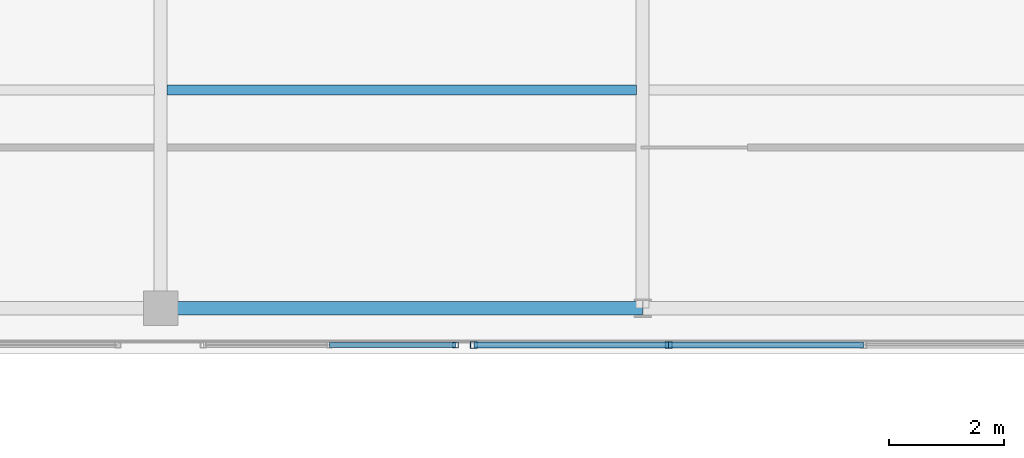
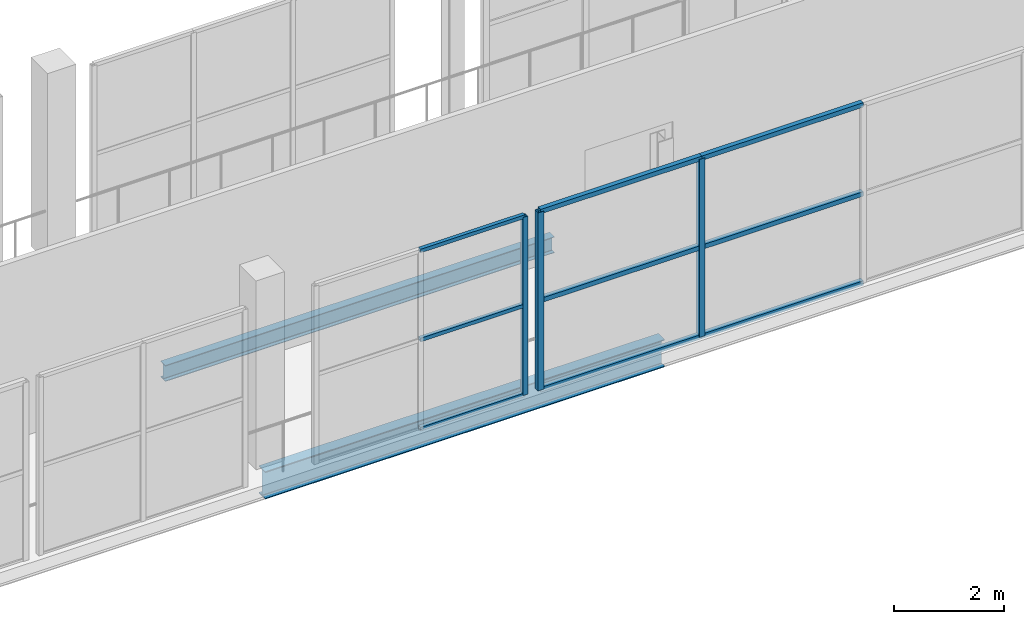
# One storey, part 77 of 151: 12 members, 2 beams, 2 elements without a shape of their own.
"""IFC4 building model written with IfcOpenShell, lengths in metres."""

import ifcopenshell
import ifcopenshell.guid

model = None  # the IFC model being written
_history = None  # IfcOwnerHistory: only IFC2X3 demands one
_inside = {}  # id of a spatial element -> (the spatial element, [elements in it])
_under = {}  # id of a project, library or spatial element -> (it, [spatial elements below it])
_declared = {}  # id of a project -> (the project, [libraries it declares])
_typed = {}  # id of a type object -> (the type object, [elements of that type])
_made_of = {}  # id of a material, layer set ... -> (it, [elements and type objects made of it])


def new_model(schema):
    """Start an empty IFC model of exactly this schema.

    Asked for "IFC4X3", IfcOpenShell would pick the latest addendum, in which some entities
    have other attributes; the version numbers below select the first issue.
    IFC2X3 requires an IfcOwnerHistory on every rooted entity: one is made here for all.
    """
    global model, _history
    if schema == "IFC4X3":
        model = ifcopenshell.file(schema_version=(4, 3, 0, 0))
    else:
        model = ifcopenshell.file(schema=schema)
    _inside.clear()
    _under.clear()
    _declared.clear()
    _typed.clear()
    _made_of.clear()
    _history = None
    if model.schema == "IFC2X3":
        org = make("IfcOrganization", Name="unknown")
        user = make(
            "IfcPersonAndOrganization",
            ThePerson=make("IfcPerson", FamilyName="unknown"),
            TheOrganization=org,
        )
        app = make(
            "IfcApplication",
            ApplicationDeveloper=org,
            Version="unknown",
            ApplicationFullName="unknown",
            ApplicationIdentifier="unknown",
        )
        _history = make(
            "IfcOwnerHistory",
            OwningUser=user,
            OwningApplication=app,
            ChangeAction="ADDED",
            CreationDate=0,
        )
    return model


def make(cls, **values):
    """One entity of the class cls with the attributes given. An attribute that is None is left unset."""
    return model.create_entity(
        cls, **{name: value for name, value in values.items() if value is not None}
    )


def rooted(cls, **values):
    """An entity with a GlobalId (a new one), such as an element, a storey or a relation."""
    return make(cls, GlobalId=ifcopenshell.guid.new(), OwnerHistory=_history, **values)


def si_unit(unit_type, name, prefix=None):
    """IfcSIUnit, for example si_unit("LENGTHUNIT", "METRE", prefix="MILLI")."""
    return make("IfcSIUnit", UnitType=unit_type, Prefix=prefix, Name=name)


def assignment(units):
    """IfcUnitAssignment: the units of a project."""
    return None if units is None else make("IfcUnitAssignment", Units=units)


def point(xyz):
    """IfcCartesianPoint."""
    return None if xyz is None else make("IfcCartesianPoint", Coordinates=xyz)


def direction(xyz):
    """IfcDirection."""
    return None if xyz is None else make("IfcDirection", DirectionRatios=xyz)


def frame(location, z_axis=None, x_axis=None):
    """IfcAxis2Placement3D, a coordinate frame: its origin and axes. An axis left out is left unset."""
    return make(
        "IfcAxis2Placement3D",
        Location=point(location),
        Axis=direction(z_axis),
        RefDirection=direction(x_axis),
    )


def frame_2d(location, x_axis=None):
    """IfcAxis2Placement2D, a coordinate frame in the plane: its origin and x axis."""
    return make(
        "IfcAxis2Placement2D", Location=point(location), RefDirection=direction(x_axis)
    )


def origin():
    """The frame at (0, 0, 0) with its axes left unset."""
    return frame((0.0, 0.0, 0.0))


def origin_2d():
    """The frame at (0, 0) in the plane with its x axis left unset."""
    return frame_2d((0.0, 0.0))


def place(relative_to, where):
    """IfcLocalPlacement: puts the frame where relative to a parent placement (None: the world)."""
    return make(
        "IfcLocalPlacement", PlacementRelTo=relative_to, RelativePlacement=where
    )


def context(
    kind, dimensions, precision=None, world=None, true_north=None, identifier=None
):
    """IfcGeometricRepresentationContext, for example the 3D "Model" context."""
    return make(
        "IfcGeometricRepresentationContext",
        ContextIdentifier=identifier,
        ContextType=kind,
        CoordinateSpaceDimension=dimensions,
        Precision=precision,
        WorldCoordinateSystem=world,
        TrueNorth=true_north,
    )


def subcontext(parent, identifier, kind, view, scale=None):
    """IfcGeometricRepresentationSubContext, for example "Body" below "Model"."""
    return make(
        "IfcGeometricRepresentationSubContext",
        ContextIdentifier=identifier,
        ContextType=kind,
        ParentContext=parent,
        TargetScale=scale,
        TargetView=view,
    )


def project(units=None, contexts=None):
    """IfcProject with its units and contexts."""
    return rooted(
        "IfcProject",
        Name="project",
        RepresentationContexts=contexts,
        UnitsInContext=assignment(units),
    )


def spatial(cls, under=None, at=None, **own):
    """A site, building, storey or space (cls), placed at a placement, below another one or the project."""
    s = rooted(cls, ObjectPlacement=at, **own)
    if under is not None:
        _under.setdefault(under.id(), (under, []))[1].append(s)
    return s


def profile(cls, at=None, kind="AREA", **sizes):
    """A parametric profile (cls). Its sizes go by their IFC names, for example OverallWidth=200.0."""
    return make(cls, ProfileType=kind, Position=at, **sizes)


def hollow_rectangle(**sizes):
    """IfcRectangleHollowProfileDef."""
    return profile("IfcRectangleHollowProfileDef", **sizes)


def i_section(**sizes):
    """IfcIShapeProfileDef."""
    return profile("IfcIShapeProfileDef", **sizes)


def extrude(swept, where, along, depth):
    """IfcExtrudedAreaSolid: the profile swept, set in the frame where, extruded along a direction by depth."""
    return make(
        "IfcExtrudedAreaSolid",
        SweptArea=swept,
        Position=where,
        ExtrudedDirection=direction(along),
        Depth=depth,
    )


def shape(context_of_items, identifier, shape_type, items):
    """IfcShapeRepresentation: the items that make up one representation, for example the "Body"."""
    return make(
        "IfcShapeRepresentation",
        ContextOfItems=context_of_items,
        RepresentationIdentifier=identifier,
        RepresentationType=shape_type,
        Items=items,
    )


def material(Name=None, Category=None):
    """IfcMaterial."""
    return make("IfcMaterial", Name=Name, Category=Category)


def material_profile(
    of_material, cross_section, Name=None, Category=None, Priority=None
):
    """IfcMaterialProfile: a cross section and its material."""
    return make(
        "IfcMaterialProfile",
        Name=Name,
        Material=of_material,
        Profile=cross_section,
        Priority=Priority,
        Category=Category,
    )


def profile_set(profiles, Name=None, composite=None):
    """IfcMaterialProfileSet."""
    return make(
        "IfcMaterialProfileSet",
        Name=Name,
        MaterialProfiles=profiles,
        CompositeProfile=composite,
    )


def made_of(thing, what):
    """Note that an element or type object is made of a material, layer set ...; save() writes the relation."""
    if what is not None:
        _made_of.setdefault(what.id(), (what, []))[1].append(thing)
    return thing


def type_object(cls, material=None, **own):
    """A type object (cls), such as IfcWallType, which elements share."""
    return made_of(rooted(cls, **own), material)


def element(
    cls,
    number,
    at=None,
    inside=None,
    cuts=None,
    type_object=None,
    material=None,
    context=None,
    identifier="Body",
    shape_type=None,
    held_by="IfcProductDefinitionShape",
    body=None,
    shapes=None,
    **own,
):
    """One element of the class cls, such as IfcWall. Its Tag is "e" and its number.

    at: its placement. inside: the storey or other place that contains it. cuts: it is an
    opening in that element (IfcRelVoidsElement). A single representation is given by context,
    identifier, shape_type and body (its items); several are given by shapes. held_by: the class
    of the entity that holds the representations. save() writes the other relations.
    """
    e = rooted(cls, Tag="e%d" % number, ObjectPlacement=at, **own)
    if body is not None:
        shapes = [shape(context, identifier, shape_type, body)]
    if shapes is not None:
        e.Representation = make(held_by, Representations=shapes)
    if inside is not None:
        _inside.setdefault(inside.id(), (inside, []))[1].append(e)
    if cuts is not None:
        rooted(
            "IfcRelVoidsElement", RelatingBuildingElement=cuts, RelatedOpeningElement=e
        )
    if type_object is not None:
        _typed.setdefault(type_object.id(), (type_object, []))[1].append(e)
    return made_of(e, material)


def aggregate(whole, parts):
    """IfcRelAggregates: a whole, such as a stair, and the parts it consists of."""
    return rooted("IfcRelAggregates", RelatingObject=whole, RelatedObjects=parts)


def save(model, path):
    """Write the relations noted so far, then the file.

    IfcRelAggregates (storeys below a building ...), IfcRelContainedInSpatialStructure (elements
    in a storey), IfcRelDefinesByType, IfcRelAssociatesMaterial and IfcRelDeclares: one each for
    every whole, place, type object, material and project.
    """
    for whole, parts in _under.values():
        aggregate(whole, parts)
    for where, things in _inside.values():
        rooted(
            "IfcRelContainedInSpatialStructure",
            RelatedElements=things,
            RelatingStructure=where,
        )
    for kind, things in _typed.values():
        rooted("IfcRelDefinesByType", RelatedObjects=things, RelatingType=kind)
    for what, things in _made_of.values():
        rooted("IfcRelAssociatesMaterial", RelatedObjects=things, RelatingMaterial=what)
    for by, libraries in _declared.values():
        rooted("IfcRelDeclares", RelatingContext=by, RelatedDefinitions=libraries)
    model.write(path)


model = new_model("IFC4")

# Units and contexts
model_context = context("Model", 3, precision=1e-05, world=origin(), true_north=direction((0.0, 1.0)))
body_context = subcontext(model_context, "Body", "Model", "MODEL_VIEW")
ifc_project = project(units=[si_unit("LENGTHUNIT", "METRE"), si_unit("AREAUNIT", "SQUARE_METRE"), si_unit("VOLUMEUNIT", "CUBIC_METRE"), si_unit("PLANEANGLEUNIT", "RADIAN"), si_unit("MASSUNIT", "GRAM", prefix="KILO")], contexts=[model_context])

# Site, building, storey
site_placement = place(None, origin())
site = spatial("IfcSite", under=ifc_project, at=site_placement, CompositionType="ELEMENT")
building_placement = place(site_placement, origin())
building = spatial("IfcBuilding", under=site, at=building_placement, Name="Zuvorla Pavilion Media Centre", CompositionType="ELEMENT")
storey_placement = place(building_placement, frame((0.0, 0.0, 13.800048828125)))
storey = spatial("IfcBuildingStorey", under=building, at=storey_placement, Name="L03", CompositionType="ELEMENT", Elevation=13.800048828125)

# Beams
ifc_material_1 = material(Name="Steel S355", Category="steel")
ifc_material_profile_1 = material_profile(ifc_material_1, i_section(OverallWidth=0.172119140625, OverallDepth=0.35791015625, WebThickness=0.008056640625, FlangeThickness=0.012939453125, FilletRadius=0.01025390625, at=origin_2d()), Name="UB 356x171x57")
ifc_profile_set_1 = profile_set([ifc_material_profile_1], Name="Steel S355")
beam_type_1 = type_object("IfcBeamType", Name="BM-UB356", PredefinedType="JOIST", material=ifc_profile_set_1)
beam_1_placement = place(storey_placement, frame((117.3095703125, 85.800048828125, -0.43701171875), z_axis=(1.0, 0.0, 0.0), x_axis=(0.0, 1.0, 0.0)))
element("IfcBeam", 1, at=beam_1_placement, inside=storey, type_object=beam_type_1, Name="L03 joist J03 1280", PredefinedType="JOIST", context=body_context, shape_type="SweptSolid", body=[
    extrude(i_section(OverallWidth=0.172119140625, OverallDepth=0.35791015625, WebThickness=0.008056640625, FlangeThickness=0.012939453125, FilletRadius=0.01025390625, at=origin_2d()), origin(), (0.0, 0.0, 1.0), 8.180908203125),
])
ifc_material_profile_2 = material_profile(ifc_material_1, i_section(OverallWidth=0.22900390625, OverallDepth=0.6123046875, WebThickness=0.011962890625, FlangeThickness=0.01953125, FilletRadius=0.0126953125, at=origin_2d()), Name="UB 610x229x125")
ifc_profile_set_2 = profile_set([ifc_material_profile_2], Name="Steel S355")
beam_type_2 = type_object("IfcBeamType", Name="BM-UB610", PredefinedType="BEAM", material=ifc_profile_set_2)
beam_2_placement = place(storey_placement, frame((117.199951171875, 82.0, -0.564208984375), z_axis=(1.0, 0.0, 0.0), x_axis=(0.0, 1.0, 0.0)))
element("IfcBeam", 2, at=beam_2_placement, inside=storey, type_object=beam_type_2, Name="L03 beam B07 1126", PredefinedType="BEAM", context=body_context, shape_type="SweptSolid", body=[
    extrude(i_section(OverallWidth=0.22900390625, OverallDepth=0.6123046875, WebThickness=0.011962890625, FlangeThickness=0.01953125, FilletRadius=0.0126953125, at=origin_2d()), origin(), (0.0, 0.0, 1.0), 8.400146484375),
])

# Curtain wall, member
ifc_material_2 = material(Name="Unitised anodised aluminium and solar glass curtain wall", Category="aluminium")
curtain_wall_type_1 = type_object("IfcCurtainWallType", Name="CW-SYS-83", PredefinedType="USERDEFINED", material=ifc_material_2)
curtain_wall_1_placement = place(storey_placement, origin())
curtain_wall_1 = element("IfcCurtainWall", 3, at=curtain_wall_1_placement, inside=storey, type_object=curtain_wall_type_1, Name="L03 curtain wall CW83 176", ObjectType="CURTAIN WALL", PredefinedType="USERDEFINED")
ifc_material_3 = material(Name="Anodised aluminium 6063-T6", Category="aluminium")
ifc_material_profile_3 = material_profile(ifc_material_3, hollow_rectangle(XDim=0.10009765625, YDim=0.10009765625, WallThickness=0.00439453125, at=origin_2d()), Name="ALU MULL 100x100")
ifc_profile_set_3 = profile_set([ifc_material_profile_3], Name="Anodised aluminium 6063-T6")
member_type_1 = type_object("IfcMemberType", Name="CW-MULL-100", PredefinedType="MULLION", material=ifc_profile_set_3)
member_1_placement = place(storey_placement, frame((122.340087890625, 81.360107421875, 0.0), z_axis=(0.0, 0.0, 1.0), x_axis=(1.0, 0.0, 0.0)))
member_1 = element("IfcMember", 4, at=member_1_placement, type_object=member_type_1, Name="CW83 mullion 1", PredefinedType="MULLION", context=body_context, shape_type="SweptSolid", body=[
    extrude(hollow_rectangle(XDim=0.10009765625, YDim=0.10009765625, WallThickness=0.00439453125, at=origin_2d()), origin(), (0.0, 0.0, 1.0), 3.9599609375),
])

# Curtain wall, members
curtain_wall_type_2 = type_object("IfcCurtainWallType", Name="CW-SYS-30", PredefinedType="USERDEFINED", material=ifc_material_2)
curtain_wall_2_placement = place(storey_placement, origin())
curtain_wall_2 = element("IfcCurtainWall", 5, at=curtain_wall_2_placement, inside=storey, type_object=curtain_wall_type_2, Name="L03 curtain wall CW30 180", ObjectType="CURTAIN WALL", PredefinedType="USERDEFINED")
ifc_material_profile_4 = material_profile(ifc_material_3, hollow_rectangle(XDim=0.1201171875, YDim=0.1201171875, WallThickness=0.0048828125, at=origin_2d()), Name="ALU MULL 120x120")
ifc_profile_set_4 = profile_set([ifc_material_profile_4], Name="Anodised aluminium 6063-T6")
member_type_2 = type_object("IfcMemberType", Name="CW-MULL-120", PredefinedType="MULLION", material=ifc_profile_set_4)
member_2_placement = place(storey_placement, frame((126.05322265625, 81.360107421875, 0.0), z_axis=(0.0, 0.0, 1.0), x_axis=(1.0, 0.0, 0.0)))
member_2 = element("IfcMember", 6, at=member_2_placement, type_object=member_type_2, Name="CW30 mullion 3", PredefinedType="MULLION", context=body_context, shape_type="SweptSolid", body=[
    extrude(hollow_rectangle(XDim=0.1201171875, YDim=0.1201171875, WallThickness=0.0048828125, at=origin_2d()), origin(), (0.0, 0.0, 1.0), 3.9599609375),
])
member_3_placement = place(storey_placement, frame((122.659912109375, 81.360107421875, 0.0), z_axis=(0.0, 0.0, 1.0), x_axis=(1.0, 0.0, 0.0)))
member_3 = element("IfcMember", 7, at=member_3_placement, type_object=member_type_2, Name="CW30 mullion 4", PredefinedType="MULLION", context=body_context, shape_type="SweptSolid", body=[
    extrude(hollow_rectangle(XDim=0.1201171875, YDim=0.1201171875, WallThickness=0.0048828125, at=origin_2d()), origin(), (0.0, 0.0, 1.0), 3.9599609375),
])
ifc_material_profile_5 = material_profile(ifc_material_3, hollow_rectangle(XDim=0.10009765625, YDim=0.10009765625, WallThickness=0.00439453125, at=origin_2d()), Name="ALU TRAN 100x100")
ifc_profile_set_5 = profile_set([ifc_material_profile_5], Name="Anodised aluminium 6063-T6")
member_type_3 = type_object("IfcMemberType", Name="CW-TRAN-100", PredefinedType="USERDEFINED", material=ifc_profile_set_5)
member_4_placement = place(storey_placement, frame((129.44677734375, 81.360107421875, 0.0), z_axis=(-1.0, 0.0, 0.0), x_axis=(0.0, -1.0, 0.0)))
member_4 = element("IfcMember", 8, at=member_4_placement, type_object=member_type_3, Name="CW30 transom 2.1", ObjectType="TRANSOM", PredefinedType="USERDEFINED", context=body_context, shape_type="SweptSolid", body=[
    extrude(hollow_rectangle(XDim=0.10009765625, YDim=0.10009765625, WallThickness=0.00439453125, at=origin_2d()), origin(), (0.0, 0.0, 1.0), 3.3935546875),
])
member_5_placement = place(storey_placement, frame((129.44677734375, 81.360107421875, 1.97998046875), z_axis=(-1.0, 0.0, 0.0), x_axis=(0.0, -1.0, 0.0)))
member_5 = element("IfcMember", 9, at=member_5_placement, type_object=member_type_3, Name="CW30 transom 2.2", ObjectType="TRANSOM", PredefinedType="USERDEFINED", context=body_context, shape_type="SweptSolid", body=[
    extrude(hollow_rectangle(XDim=0.10009765625, YDim=0.10009765625, WallThickness=0.00439453125, at=origin_2d()), origin(), (0.0, 0.0, 1.0), 3.3935546875),
])
member_6_placement = place(storey_placement, frame((129.44677734375, 81.360107421875, 3.9599609375), z_axis=(-1.0, 0.0, 0.0), x_axis=(0.0, -1.0, 0.0)))
member_6 = element("IfcMember", 10, at=member_6_placement, type_object=member_type_3, Name="CW30 transom 2.3", ObjectType="TRANSOM", PredefinedType="USERDEFINED", context=body_context, shape_type="SweptSolid", body=[
    extrude(hollow_rectangle(XDim=0.10009765625, YDim=0.10009765625, WallThickness=0.00439453125, at=origin_2d()), origin(), (0.0, 0.0, 1.0), 3.3935546875),
])
member_7_placement = place(storey_placement, frame((126.05322265625, 81.360107421875, 0.0), z_axis=(-1.0, 0.0, 0.0), x_axis=(0.0, -1.0, 0.0)))
member_7 = element("IfcMember", 11, at=member_7_placement, type_object=member_type_3, Name="CW30 transom 3.1", ObjectType="TRANSOM", PredefinedType="USERDEFINED", context=body_context, shape_type="SweptSolid", body=[
    extrude(hollow_rectangle(XDim=0.10009765625, YDim=0.10009765625, WallThickness=0.00439453125, at=origin_2d()), origin(), (0.0, 0.0, 1.0), 3.393310546875),
])
member_8_placement = place(storey_placement, frame((126.05322265625, 81.360107421875, 1.97998046875), z_axis=(-1.0, 0.0, 0.0), x_axis=(0.0, -1.0, 0.0)))
member_8 = element("IfcMember", 12, at=member_8_placement, type_object=member_type_3, Name="CW30 transom 3.2", ObjectType="TRANSOM", PredefinedType="USERDEFINED", context=body_context, shape_type="SweptSolid", body=[
    extrude(hollow_rectangle(XDim=0.10009765625, YDim=0.10009765625, WallThickness=0.00439453125, at=origin_2d()), origin(), (0.0, 0.0, 1.0), 3.393310546875),
])
member_9_placement = place(storey_placement, frame((126.05322265625, 81.360107421875, 3.9599609375), z_axis=(-1.0, 0.0, 0.0), x_axis=(0.0, -1.0, 0.0)))
member_9 = element("IfcMember", 13, at=member_9_placement, type_object=member_type_3, Name="CW30 transom 3.3", ObjectType="TRANSOM", PredefinedType="USERDEFINED", context=body_context, shape_type="SweptSolid", body=[
    extrude(hollow_rectangle(XDim=0.10009765625, YDim=0.10009765625, WallThickness=0.00439453125, at=origin_2d()), origin(), (0.0, 0.0, 1.0), 3.393310546875),
])
aggregate(curtain_wall_2, [member_2, member_3, member_4, member_5, member_6, member_7, member_8, member_9])

# Member
ifc_material_profile_6 = material_profile(ifc_material_3, hollow_rectangle(XDim=0.080078125, YDim=0.080078125, WallThickness=0.00390625, at=origin_2d()), Name="ALU TRAN 80x80")
ifc_profile_set_6 = profile_set([ifc_material_profile_6], Name="Anodised aluminium 6063-T6")
member_type_4 = type_object("IfcMemberType", Name="CW-TRAN-80", PredefinedType="USERDEFINED", material=ifc_profile_set_6)
member_10_placement = place(storey_placement, frame((122.340087890625, 81.360107421875, 0.0), z_axis=(-1.0, 0.0, 0.0), x_axis=(0.0, -1.0, 0.0)))
member_10 = element("IfcMember", 14, at=member_10_placement, type_object=member_type_4, Name="CW83 transom 1.1", ObjectType="TRANSOM", PredefinedType="USERDEFINED", context=body_context, shape_type="SweptSolid", body=[
    extrude(hollow_rectangle(XDim=0.080078125, YDim=0.080078125, WallThickness=0.00390625, at=origin_2d()), origin(), (0.0, 0.0, 1.0), 2.197998046875),
])

member_11_placement = place(storey_placement, frame((122.340087890625, 81.360107421875, 1.97998046875), z_axis=(-1.0, 0.0, 0.0), x_axis=(0.0, -1.0, 0.0)))
member_11 = element("IfcMember", 15, at=member_11_placement, type_object=member_type_4, Name="CW83 transom 1.2", ObjectType="TRANSOM", PredefinedType="USERDEFINED", context=body_context, shape_type="SweptSolid", body=[
    extrude(hollow_rectangle(XDim=0.080078125, YDim=0.080078125, WallThickness=0.00390625, at=origin_2d()), origin(), (0.0, 0.0, 1.0), 2.197998046875),
])

member_12_placement = place(storey_placement, frame((122.340087890625, 81.360107421875, 3.9599609375), z_axis=(-1.0, 0.0, 0.0), x_axis=(0.0, -1.0, 0.0)))
member_12 = element("IfcMember", 16, at=member_12_placement, type_object=member_type_4, Name="CW83 transom 1.3", ObjectType="TRANSOM", PredefinedType="USERDEFINED", context=body_context, shape_type="SweptSolid", body=[
    extrude(hollow_rectangle(XDim=0.080078125, YDim=0.080078125, WallThickness=0.00390625, at=origin_2d()), origin(), (0.0, 0.0, 1.0), 2.197998046875),
])

aggregate(curtain_wall_1, [member_1, member_10, member_11, member_12])

save(model, "model.ifc")
